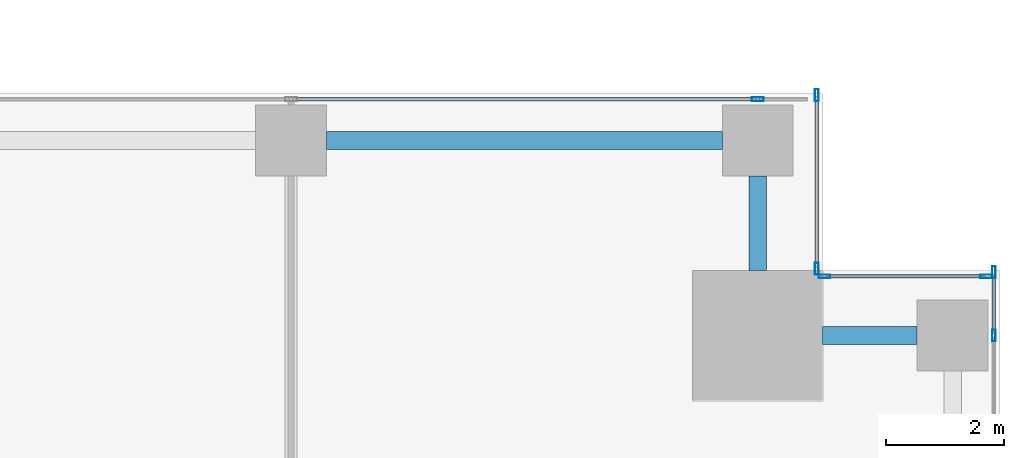
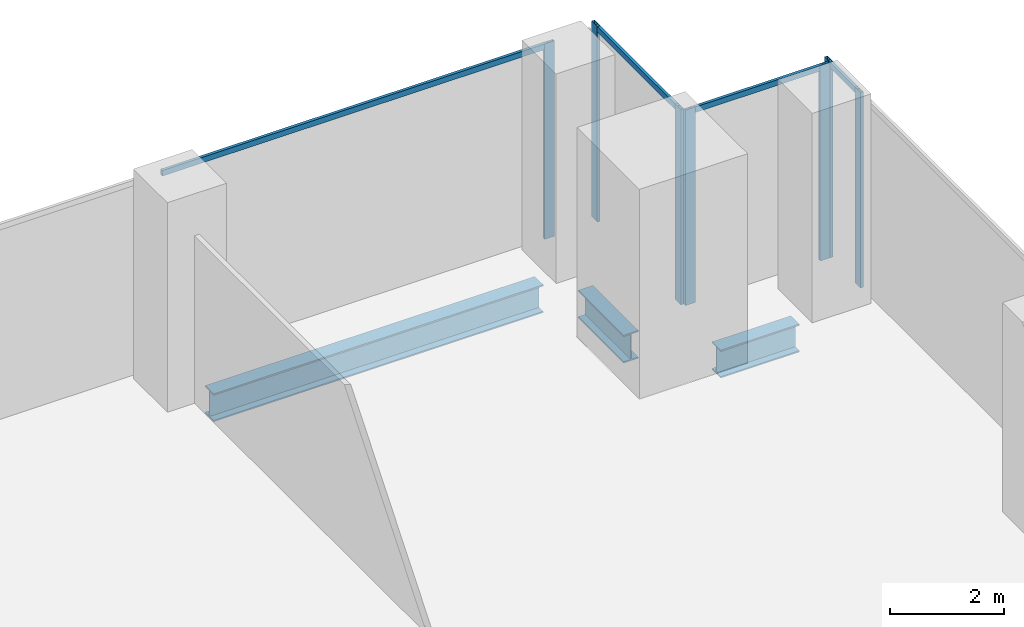
# One storey, part 20 of 33: 11 members, 3 beams, 4 elements without a shape of their own.
"""IFC4 building model written with IfcOpenShell, lengths in metres."""

from ifc_helpers import new_model, si_unit, direction, frame, origin, origin_2d, place, context, subcontext, project, spatial, hollow_rectangle, i_section, extrude, source, transform, mapped, material, material_profile, profile_set, type_object, element, aggregate, save


model = new_model("IFC4")

# Units and contexts
model_context = context("Model", 3, precision=1e-05, world=origin(), true_north=direction((0.0, 1.0)))
body_context = subcontext(model_context, "Body", "Model", "MODEL_VIEW")
ifc_project = project(units=[si_unit("LENGTHUNIT", "METRE"), si_unit("AREAUNIT", "SQUARE_METRE"), si_unit("VOLUMEUNIT", "CUBIC_METRE"), si_unit("PLANEANGLEUNIT", "RADIAN"), si_unit("MASSUNIT", "GRAM", prefix="KILO")], contexts=[model_context])

# Site, building, storey
site_placement = place(None, origin())
site = spatial("IfcSite", under=ifc_project, at=site_placement, CompositionType="ELEMENT")
building_placement = place(site_placement, origin())
building = spatial("IfcBuilding", under=site, at=building_placement, Name="Khomas Fold Tower", CompositionType="ELEMENT")
storey_placement = place(building_placement, frame((0.0, 0.0, 91.5)))
storey = spatial("IfcBuildingStorey", under=building, at=storey_placement, Name="L19", CompositionType="ELEMENT", Elevation=91.5)

# Beams
ifc_material_1 = material(Name="Steel S355", Category="steel")
ifc_material_profile_1 = material_profile(ifc_material_1, i_section(OverallWidth=0.300048828125, OverallDepth=0.60009765625, WebThickness=0.015380859375, FlangeThickness=0.030029296875, at=origin_2d()), Name="HE 600 B")
ifc_profile_set_1 = profile_set([ifc_material_profile_1], Name="Steel S355")
beam_type = type_object("IfcBeamType", Name="HE 600 B spandrel SB1", PredefinedType="SPANDREL", material=ifc_profile_set_1)
shared_shape_1 = source(origin(), body_context, "Body", "SweptSolid", [
    extrude(i_section(OverallWidth=0.300048828125, OverallDepth=0.60009765625, WebThickness=0.015380859375, FlangeThickness=0.030029296875, at=origin_2d()), origin(), (0.0, 0.0, 1.0), 6.699951171875),
])
beam_placement = place(storey_placement, frame((42.60009765625, 53.199951171875, -0.60009765625), z_axis=(1.0, 0.0, 0.0), x_axis=(0.0, 1.0, 0.0)))
element("IfcBeam", 1, at=beam_placement, inside=storey, type_object=beam_type, Name="SB1", PredefinedType="SPANDREL", context=body_context, shape_type="MappedRepresentation", body=[
    mapped(shared_shape_1, transform((0.0, 0.0, 0.0))),
])
shared_shape_2 = source(origin(), body_context, "Body", "SweptSolid", [
    extrude(i_section(OverallWidth=0.300048828125, OverallDepth=0.60009765625, WebThickness=0.015380859375, FlangeThickness=0.030029296875, at=origin_2d()), origin(), (0.0, 0.0, 1.0), 1.60009765625),
])
for number, where, z_axis, x_axis, name in (
    (2, (51.0, 49.89990234375, -0.60009765625), (1.0, 0.0, 0.0), (0.0, 1.0, 0.0), "SB1"),
    (3, (49.89990234375, 51.0, -0.60009765625), (0.0, 1.0, 0.0), (-1.0, 0.0, 0.0), "SB1"),
):
    element("IfcBeam", number, at=place(storey_placement, frame(where, z_axis=z_axis, x_axis=x_axis)), inside=storey, type_object=beam_type, Name=name, PredefinedType="SPANDREL", context=body_context, shape_type="MappedRepresentation", body=[
        mapped(shared_shape_2, transform((0.0, 0.0, 0.0))),
    ])

# Curtain wall, member
ifc_material_2 = material(Name="Aluminium framed double glazing", Category="aluminium")
curtain_wall_type = type_object("IfcCurtainWallType", Name="SK-Unitised clear-glass wall, growing floors CW1", PredefinedType="NOTDEFINED", material=ifc_material_2)
curtain_wall_1_placement = place(storey_placement, origin())
curtain_wall_1 = element("IfcCurtainWall", 4, at=curtain_wall_1_placement, inside=storey, type_object=curtain_wall_type, Name="CW1 run L19 06-0", PredefinedType="NOTDEFINED")
ifc_material_3 = material(Name="Aluminium", Category="aluminium")
ifc_material_profile_2 = material_profile(ifc_material_3, hollow_rectangle(XDim=0.06005859375, YDim=0.1201171875, WallThickness=0.00390625, at=origin_2d()), Name="SK-Unitised clear-glass wall, growing floors transom CW1-T")
ifc_profile_set_2 = profile_set([ifc_material_profile_2], Name="Aluminium")
member_type_1 = type_object("IfcMemberType", Name="SK-Unitised clear-glass wall, growing floors transom CW1-T", PredefinedType="USERDEFINED", material=ifc_profile_set_2)
shared_shape_3 = source(origin(), body_context, "Body", "SweptSolid", [
    extrude(hollow_rectangle(XDim=0.06005859375, YDim=0.1201171875, WallThickness=0.00390625, at=origin_2d()), origin(), (0.0, 0.0, 1.0), 7.840087890625),
])
member_1_placement = place(storey_placement, frame((49.8701171875, 53.89990234375, 4.139892578125), z_axis=(-1.0, 0.0, 0.0), x_axis=(0.0, -1.0, 0.0)))
member_1 = element("IfcMember", 5, at=member_1_placement, type_object=member_type_1, Name="CW1 transom 2", ObjectType="TRANSOM", PredefinedType="USERDEFINED", context=body_context, shape_type="MappedRepresentation", body=[
    mapped(shared_shape_3, transform((0.0, 0.0, 0.0))),
])

curtain_wall_2_placement = place(storey_placement, origin())
curtain_wall_2 = element("IfcCurtainWall", 6, at=curtain_wall_2_placement, inside=storey, type_object=curtain_wall_type, Name="CW1 run L19 03-0", PredefinedType="NOTDEFINED")
shared_shape_4 = source(origin(), body_context, "Body", "SweptSolid", [
    extrude(hollow_rectangle(XDim=0.06005859375, YDim=0.1201171875, WallThickness=0.00390625, at=origin_2d()), origin(), (0.0, 0.0, 1.0), 1.010009765625),
])
member_2_placement = place(storey_placement, frame((53.89990234375, 49.929931640625, 4.139892578125), z_axis=(0.0, 1.0, 0.0), x_axis=(-1.0, 0.0, 0.0)))
member_2 = element("IfcMember", 7, at=member_2_placement, type_object=member_type_1, Name="CW1 transom 8", ObjectType="TRANSOM", PredefinedType="USERDEFINED", context=body_context, shape_type="MappedRepresentation", body=[
    mapped(shared_shape_4, transform((0.0, 0.0, 0.0))),
])

curtain_wall_3_placement = place(storey_placement, origin())
curtain_wall_3 = element("IfcCurtainWall", 8, at=curtain_wall_3_placement, inside=storey, type_object=curtain_wall_type, Name="CW1 corner return L19 04", PredefinedType="NOTDEFINED")
shared_shape_5 = source(origin(), body_context, "Body", "SweptSolid", [
    extrude(hollow_rectangle(XDim=0.06005859375, YDim=0.1201171875, WallThickness=0.00390625, at=origin_2d()), origin(), (0.0, 0.0, 1.0), 2.679931640625),
])
member_3_placement = place(storey_placement, frame((53.739990234375, 50.89990234375, 4.139892578125), z_axis=(-1.0, 0.0, 0.0), x_axis=(0.0, -1.0, 0.0)))
member_3 = element("IfcMember", 9, at=member_3_placement, type_object=member_type_1, Name="CW1 transom 1", ObjectType="TRANSOM", PredefinedType="USERDEFINED", context=body_context, shape_type="MappedRepresentation", body=[
    mapped(shared_shape_5, transform((0.0, 0.0, 0.0))),
])

curtain_wall_4_placement = place(storey_placement, origin())
curtain_wall_4 = element("IfcCurtainWall", 10, at=curtain_wall_4_placement, inside=storey, type_object=curtain_wall_type, Name="CW1 corner return L19 05", PredefinedType="NOTDEFINED")
shared_shape_6 = source(origin(), body_context, "Body", "SweptSolid", [
    extrude(hollow_rectangle(XDim=0.06005859375, YDim=0.1201171875, WallThickness=0.00390625, at=origin_2d()), origin(), (0.0, 0.0, 1.0), 2.8798828125),
])
member_4_placement = place(storey_placement, frame((50.89990234375, 51.06005859375, 4.139892578125), z_axis=(0.0, 1.0, 0.0), x_axis=(-1.0, 0.0, 0.0)))
member_4 = element("IfcMember", 11, at=member_4_placement, type_object=member_type_1, Name="CW1 transom 1", ObjectType="TRANSOM", PredefinedType="USERDEFINED", context=body_context, shape_type="MappedRepresentation", body=[
    mapped(shared_shape_6, transform((0.0, 0.0, 0.0))),
])

# Member
ifc_material_4 = material(Name="Aluminium", Category="aluminium")
ifc_material_profile_3 = material_profile(ifc_material_4, hollow_rectangle(XDim=0.06005859375, YDim=0.199951171875, WallThickness=0.00390625, at=origin_2d()), Name="SK-Unitised clear-glass wall, growing floors mullion CW1-M")
ifc_profile_set_3 = profile_set([ifc_material_profile_3], Name="Aluminium")
member_type_2 = type_object("IfcMemberType", Name="SK-Unitised clear-glass wall, growing floors mullion CW1-M", PredefinedType="MULLION", material=ifc_profile_set_3)
shared_shape_7 = source(origin(), body_context, "Body", "SweptSolid", [
    extrude(hollow_rectangle(XDim=0.06005859375, YDim=0.199951171875, WallThickness=0.00390625, at=origin_2d()), origin(), (0.0, 0.0, 1.0), 4.199951171875),
])
member_5_placement = place(storey_placement, frame((53.89990234375, 49.89990234375, 0.0), z_axis=(0.0, 0.0, 1.0), x_axis=(-1.0, 0.0, 0.0)))
member_5 = element("IfcMember", 12, at=member_5_placement, type_object=member_type_2, Name="CW1 mullion 8", PredefinedType="MULLION", context=body_context, shape_type="MappedRepresentation", body=[
    mapped(shared_shape_7, transform((0.0, 0.0, 0.0))),
])

member_6_placement = place(storey_placement, frame((53.89990234375, 50.969970703125, 0.0), z_axis=(0.0, 0.0, 1.0), x_axis=(-1.0, 0.0, 0.0)))
member_6 = element("IfcMember", 13, at=member_6_placement, type_object=member_type_2, Name="CW1 mullion 9", PredefinedType="MULLION", context=body_context, shape_type="MappedRepresentation", body=[
    mapped(shared_shape_7, transform((0.0, 0.0, 0.0))),
])

aggregate(curtain_wall_2, [member_5, member_6, member_2])

member_7_placement = place(storey_placement, frame((53.77001953125, 50.89990234375, 0.0), z_axis=(0.0, 0.0, 1.0), x_axis=(0.0, -1.0, 0.0)))
member_7 = element("IfcMember", 14, at=member_7_placement, type_object=member_type_2, Name="CW1 mullion 1", PredefinedType="MULLION", context=body_context, shape_type="MappedRepresentation", body=[
    mapped(shared_shape_7, transform((0.0, 0.0, 0.0))),
])

member_8_placement = place(storey_placement, frame((51.030029296875, 50.89990234375, 0.0), z_axis=(0.0, 0.0, 1.0), x_axis=(0.0, -1.0, 0.0)))
member_8 = element("IfcMember", 15, at=member_8_placement, type_object=member_type_2, Name="CW1 mullion 2", PredefinedType="MULLION", context=body_context, shape_type="MappedRepresentation", body=[
    mapped(shared_shape_7, transform((0.0, 0.0, 0.0))),
])

aggregate(curtain_wall_3, [member_7, member_8, member_3])

member_9_placement = place(storey_placement, frame((50.89990234375, 51.030029296875, 0.0), z_axis=(0.0, 0.0, 1.0), x_axis=(-1.0, 0.0, 0.0)))
member_9 = element("IfcMember", 16, at=member_9_placement, type_object=member_type_2, Name="CW1 mullion 1", PredefinedType="MULLION", context=body_context, shape_type="MappedRepresentation", body=[
    mapped(shared_shape_7, transform((0.0, 0.0, 0.0))),
])

member_10_placement = place(storey_placement, frame((50.89990234375, 53.969970703125, 0.0), z_axis=(0.0, 0.0, 1.0), x_axis=(-1.0, 0.0, 0.0)))
member_10 = element("IfcMember", 17, at=member_10_placement, type_object=member_type_2, Name="CW1 mullion 2", PredefinedType="MULLION", context=body_context, shape_type="MappedRepresentation", body=[
    mapped(shared_shape_7, transform((0.0, 0.0, 0.0))),
])

aggregate(curtain_wall_4, [member_9, member_10, member_4])

member_11_placement = place(storey_placement, frame((49.89990234375, 53.89990234375, 0.0), z_axis=(0.0, 0.0, 1.0), x_axis=(0.0, -1.0, 0.0)))
member_11 = element("IfcMember", 18, at=member_11_placement, type_object=member_type_2, Name="CW1 mullion 2", PredefinedType="MULLION", context=body_context, shape_type="MappedRepresentation", body=[
    mapped(shared_shape_7, transform((0.0, 0.0, 0.0))),
])

aggregate(curtain_wall_1, [member_11, member_1])

save(model, "model.ifc")
